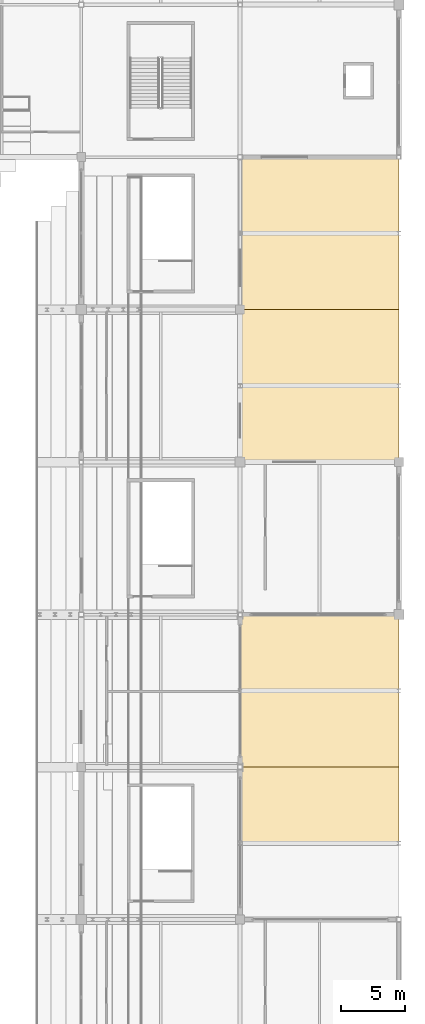
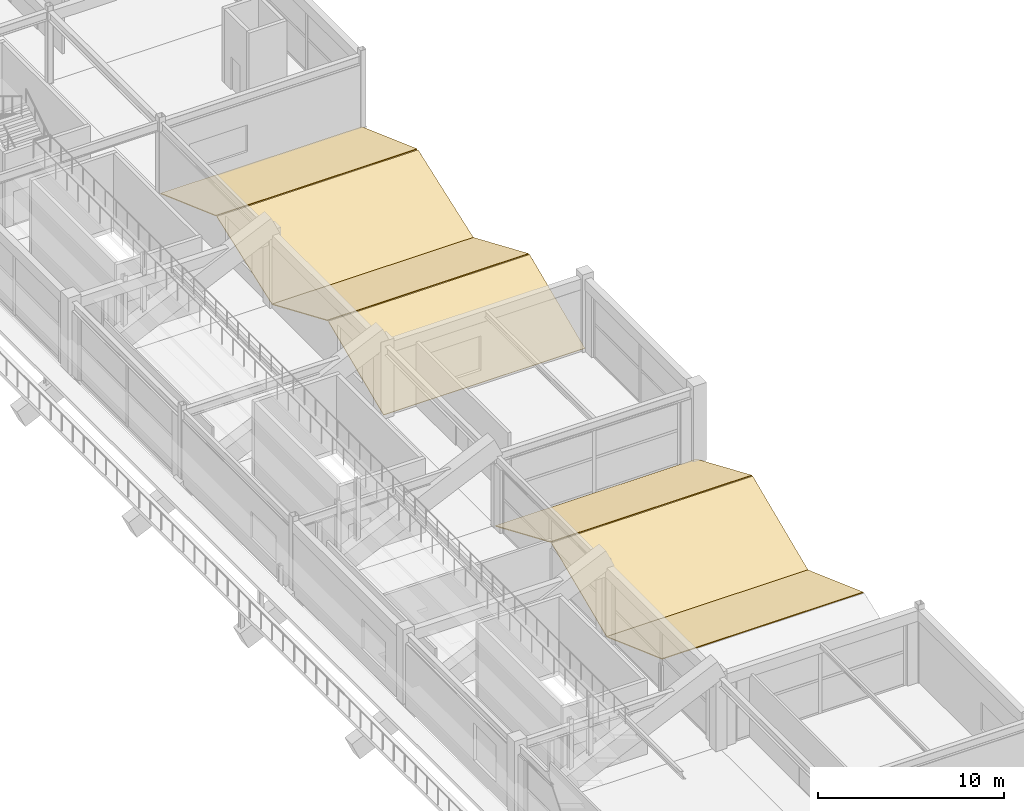
# One storey, part 122 of 128: 7 coverings.
"""IFC4 building model written with IfcOpenShell, lengths in metres."""

from ifc_helpers import new_model, si_unit, direction, frame, origin, place, context, subcontext, project, spatial, polyline, outline, extrude, material, layer, layer_set, type_object, element, save


model = new_model("IFC4")

# Units and contexts
model_context = context("Model", 3, precision=1e-05, world=origin(), true_north=direction((0.0, 1.0)))
body_context = subcontext(model_context, "Body", "Model", "MODEL_VIEW")
ifc_project = project(units=[si_unit("LENGTHUNIT", "METRE"), si_unit("AREAUNIT", "SQUARE_METRE"), si_unit("VOLUMEUNIT", "CUBIC_METRE"), si_unit("PLANEANGLEUNIT", "RADIAN"), si_unit("MASSUNIT", "GRAM", prefix="KILO")], contexts=[model_context])

# Site, building, storey
site_placement = place(None, origin())
site = spatial("IfcSite", under=ifc_project, at=site_placement, CompositionType="ELEMENT")
building_placement = place(site_placement, origin())
building = spatial("IfcBuilding", under=site, at=building_placement, Name="Kazenohara Klinker Stadium", CompositionType="ELEMENT")
storey_placement = place(building_placement, frame((0.0, 0.0, 15.300048828125)))
storey = spatial("IfcBuildingStorey", under=building, at=storey_placement, Name="L03", CompositionType="ELEMENT", Elevation=15.300048828125)

# Coverings
ifc_material = material(Name="Insulated standing-seam copper roofing", Category="metal")
ifc_layer = layer(ifc_material, 0.050048828125)
ifc_layer_set = layer_set([ifc_layer], Name="Insulated standing-seam copper roofing")
covering_type = type_object("IfcCoveringType", Name="COV-ROOF-01", PredefinedType="ROOFING", material=ifc_layer_set)
covering_placement = place(storey_placement, frame((187.5, 78.050048828125, 2.119873046875), z_axis=(0.0, 0.3398274788, 0.940487790805), x_axis=(1.0, 0.0, 0.0)))
element("IfcCovering", 1, at=covering_placement, inside=storey, type_object=covering_type, Name="Standing-seam copper stepped wing roofing L03-B 16/G", PredefinedType="ROOFING", context=body_context, shape_type="SweptSolid", body=[
    extrude(outline(polyline([(0.0, 0.0), (12.5, 0.0), (12.5, 6.326452326174476), (0.0, 6.326452326174476), (0.0, 0.0)])), origin(), (0.0, 0.0, -1.0), 0.050048828125),
])
for number, where, z_axis, x_axis, name in (
    (2, (187.5, 84.0, -0.030029296875), (0.0, -0.39392840207, 0.919141128469), (1.0, 0.0, 0.0), "Standing-seam copper stepped wing roofing L03-A 16/H"),
    (3, (187.5, 90.050048828125, 2.52001953125), (0.0, 0.39392840207, 0.919141128469), (1.0, 0.0, 0.0), "Standing-seam copper stepped wing roofing L03-B 16/H"),
    (4, (187.5, 108.0, -0.030029296875), (0.0, -0.39392840207, 0.919141128469), (1.0, 0.0, 0.0), "Standing-seam copper stepped wing roofing L03-A 16/K"),
    (5, (187.5, 114.050048828125, 2.52001953125), (0.0, 0.39392840207, 0.919141128469), (1.0, 0.0, 0.0), "Standing-seam copper stepped wing roofing L03-B 16/K"),
):
    element("IfcCovering", number, at=place(storey_placement, frame(where, z_axis=z_axis, x_axis=x_axis)), inside=storey, type_object=covering_type, Name=name, PredefinedType="ROOFING", context=body_context, shape_type="SweptSolid", body=[
        extrude(outline(polyline([(0.0, 0.0), (12.5, 0.0), (12.5, 6.473381494514159), (0.0, 6.473381494514159), (0.0, 0.0)])), origin(), (0.0, 0.0, -1.0), 0.050048828125),
    ])
for number, where, z_axis, x_axis, name in (
    (6, (187.5, 120.0, -0.030029296875), (0.0, -0.3398274788, 0.940487790805), (1.0, 0.0, 0.0), "Standing-seam copper stepped wing roofing L03-A 16/L"),
    (7, (187.5, 126.050048828125, 2.119873046875), (0.0, 0.3398274788, 0.940487790805), (1.0, 0.0, 0.0), "Standing-seam copper stepped wing roofing L03-B 16/L"),
):
    element("IfcCovering", number, at=place(storey_placement, frame(where, z_axis=z_axis, x_axis=x_axis)), inside=storey, type_object=covering_type, Name=name, PredefinedType="ROOFING", context=body_context, shape_type="SweptSolid", body=[
        extrude(outline(polyline([(0.0, 0.0), (12.5, 0.0), (12.5, 6.326452326174476), (0.0, 6.326452326174476), (0.0, 0.0)])), origin(), (0.0, 0.0, -1.0), 0.050048828125),
    ])

save(model, "model.ifc")
